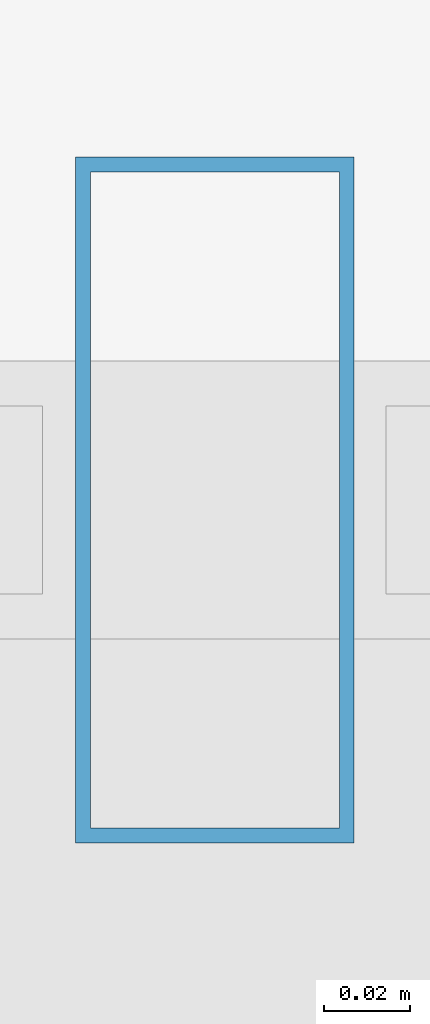
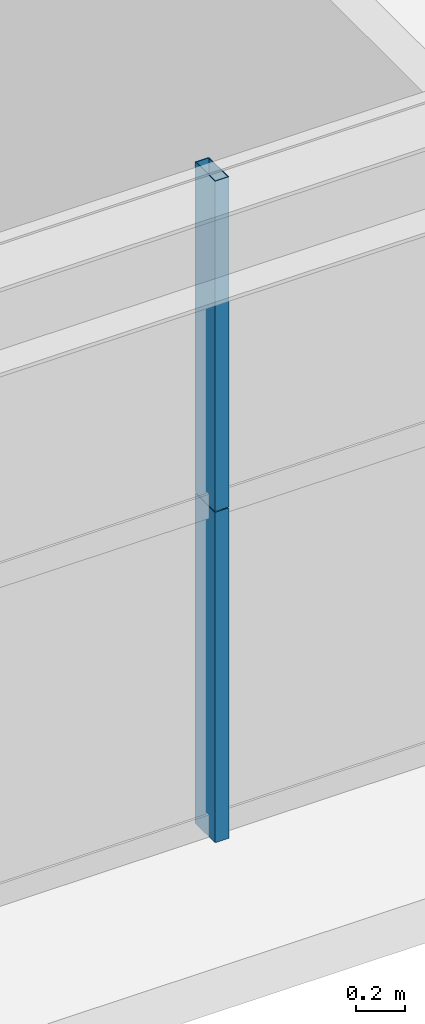
# One storey, part 6 of 38: 2 members, 1 element without a shape of its own.
"""IFC4 building model written with IfcOpenShell, lengths in metres."""

import ifcopenshell
import ifcopenshell.guid

model = None  # the IFC model being written
_history = None  # IfcOwnerHistory: only IFC2X3 demands one
_inside = {}  # id of a spatial element -> (the spatial element, [elements in it])
_under = {}  # id of a project, library or spatial element -> (it, [spatial elements below it])
_declared = {}  # id of a project -> (the project, [libraries it declares])
_typed = {}  # id of a type object -> (the type object, [elements of that type])
_made_of = {}  # id of a material, layer set ... -> (it, [elements and type objects made of it])


def new_model(schema):
    """Start an empty IFC model of exactly this schema.

    Asked for "IFC4X3", IfcOpenShell would pick the latest addendum, in which some entities
    have other attributes; the version numbers below select the first issue.
    IFC2X3 requires an IfcOwnerHistory on every rooted entity: one is made here for all.
    """
    global model, _history
    if schema == "IFC4X3":
        model = ifcopenshell.file(schema_version=(4, 3, 0, 0))
    else:
        model = ifcopenshell.file(schema=schema)
    _inside.clear()
    _under.clear()
    _declared.clear()
    _typed.clear()
    _made_of.clear()
    _history = None
    if model.schema == "IFC2X3":
        org = make("IfcOrganization", Name="unknown")
        user = make(
            "IfcPersonAndOrganization",
            ThePerson=make("IfcPerson", FamilyName="unknown"),
            TheOrganization=org,
        )
        app = make(
            "IfcApplication",
            ApplicationDeveloper=org,
            Version="unknown",
            ApplicationFullName="unknown",
            ApplicationIdentifier="unknown",
        )
        _history = make(
            "IfcOwnerHistory",
            OwningUser=user,
            OwningApplication=app,
            ChangeAction="ADDED",
            CreationDate=0,
        )
    return model


def make(cls, **values):
    """One entity of the class cls with the attributes given. An attribute that is None is left unset."""
    return model.create_entity(
        cls, **{name: value for name, value in values.items() if value is not None}
    )


def rooted(cls, **values):
    """An entity with a GlobalId (a new one), such as an element, a storey or a relation."""
    return make(cls, GlobalId=ifcopenshell.guid.new(), OwnerHistory=_history, **values)


def si_unit(unit_type, name, prefix=None):
    """IfcSIUnit, for example si_unit("LENGTHUNIT", "METRE", prefix="MILLI")."""
    return make("IfcSIUnit", UnitType=unit_type, Prefix=prefix, Name=name)


def assignment(units):
    """IfcUnitAssignment: the units of a project."""
    return None if units is None else make("IfcUnitAssignment", Units=units)


def point(xyz):
    """IfcCartesianPoint."""
    return None if xyz is None else make("IfcCartesianPoint", Coordinates=xyz)


def direction(xyz):
    """IfcDirection."""
    return None if xyz is None else make("IfcDirection", DirectionRatios=xyz)


def frame(location, z_axis=None, x_axis=None):
    """IfcAxis2Placement3D, a coordinate frame: its origin and axes. An axis left out is left unset."""
    return make(
        "IfcAxis2Placement3D",
        Location=point(location),
        Axis=direction(z_axis),
        RefDirection=direction(x_axis),
    )


def frame_2d(location, x_axis=None):
    """IfcAxis2Placement2D, a coordinate frame in the plane: its origin and x axis."""
    return make(
        "IfcAxis2Placement2D", Location=point(location), RefDirection=direction(x_axis)
    )


def origin():
    """The frame at (0, 0, 0) with its axes left unset."""
    return frame((0.0, 0.0, 0.0))


def origin_2d():
    """The frame at (0, 0) in the plane with its x axis left unset."""
    return frame_2d((0.0, 0.0))


def place(relative_to, where):
    """IfcLocalPlacement: puts the frame where relative to a parent placement (None: the world)."""
    return make(
        "IfcLocalPlacement", PlacementRelTo=relative_to, RelativePlacement=where
    )


def context(
    kind, dimensions, precision=None, world=None, true_north=None, identifier=None
):
    """IfcGeometricRepresentationContext, for example the 3D "Model" context."""
    return make(
        "IfcGeometricRepresentationContext",
        ContextIdentifier=identifier,
        ContextType=kind,
        CoordinateSpaceDimension=dimensions,
        Precision=precision,
        WorldCoordinateSystem=world,
        TrueNorth=true_north,
    )


def subcontext(parent, identifier, kind, view, scale=None):
    """IfcGeometricRepresentationSubContext, for example "Body" below "Model"."""
    return make(
        "IfcGeometricRepresentationSubContext",
        ContextIdentifier=identifier,
        ContextType=kind,
        ParentContext=parent,
        TargetScale=scale,
        TargetView=view,
    )


def project(units=None, contexts=None):
    """IfcProject with its units and contexts."""
    return rooted(
        "IfcProject",
        Name="project",
        RepresentationContexts=contexts,
        UnitsInContext=assignment(units),
    )


def spatial(cls, under=None, at=None, **own):
    """A site, building, storey or space (cls), placed at a placement, below another one or the project."""
    s = rooted(cls, ObjectPlacement=at, **own)
    if under is not None:
        _under.setdefault(under.id(), (under, []))[1].append(s)
    return s


def profile(cls, at=None, kind="AREA", **sizes):
    """A parametric profile (cls). Its sizes go by their IFC names, for example OverallWidth=200.0."""
    return make(cls, ProfileType=kind, Position=at, **sizes)


def hollow_rectangle(**sizes):
    """IfcRectangleHollowProfileDef."""
    return profile("IfcRectangleHollowProfileDef", **sizes)


def extrude(swept, where, along, depth):
    """IfcExtrudedAreaSolid: the profile swept, set in the frame where, extruded along a direction by depth."""
    return make(
        "IfcExtrudedAreaSolid",
        SweptArea=swept,
        Position=where,
        ExtrudedDirection=direction(along),
        Depth=depth,
    )


def shape(context_of_items, identifier, shape_type, items):
    """IfcShapeRepresentation: the items that make up one representation, for example the "Body"."""
    return make(
        "IfcShapeRepresentation",
        ContextOfItems=context_of_items,
        RepresentationIdentifier=identifier,
        RepresentationType=shape_type,
        Items=items,
    )


def source(mapping_origin, context_of_items, identifier, shape_type, items):
    """IfcRepresentationMap: a shape defined once, which mapped items show again and again."""
    return make(
        "IfcRepresentationMap",
        MappingOrigin=mapping_origin,
        MappedRepresentation=shape(context_of_items, identifier, shape_type, items),
    )


def transform(
    local_origin,
    x_axis=None,
    y_axis=None,
    z_axis=None,
    scale=None,
    scale2=None,
    scale3=None,
    uniform=True,
):
    """IfcCartesianTransformationOperator3D, or its non-uniform kind. x_axis, y_axis, z_axis: its Axis1, 2, 3."""
    if uniform:
        return make(
            "IfcCartesianTransformationOperator3D",
            Axis1=direction(x_axis),
            Axis2=direction(y_axis),
            LocalOrigin=point(local_origin),
            Scale=scale,
            Axis3=direction(z_axis),
        )
    return make(
        "IfcCartesianTransformationOperator3DnonUniform",
        Axis1=direction(x_axis),
        Axis2=direction(y_axis),
        LocalOrigin=point(local_origin),
        Scale=scale,
        Axis3=direction(z_axis),
        Scale2=scale2,
        Scale3=scale3,
    )


def mapped(mapping_source, mapping_target):
    """IfcMappedItem: shows the shape of a source again, moved by a transform."""
    return make(
        "IfcMappedItem", MappingSource=mapping_source, MappingTarget=mapping_target
    )


def material(Name=None, Category=None):
    """IfcMaterial."""
    return make("IfcMaterial", Name=Name, Category=Category)


def layer(
    of_material, thickness, ventilated=None, Name=None, Category=None, Priority=None
):
    """IfcMaterialLayer: one layer of a wall or slab, of a material (None: an air gap)."""
    return make(
        "IfcMaterialLayer",
        Material=of_material,
        LayerThickness=thickness,
        IsVentilated=ventilated,
        Name=Name,
        Category=Category,
        Priority=Priority,
    )


def layer_set(layers, Name=None):
    """IfcMaterialLayerSet."""
    return make("IfcMaterialLayerSet", MaterialLayers=layers, LayerSetName=Name)


def material_profile(
    of_material, cross_section, Name=None, Category=None, Priority=None
):
    """IfcMaterialProfile: a cross section and its material."""
    return make(
        "IfcMaterialProfile",
        Name=Name,
        Material=of_material,
        Profile=cross_section,
        Priority=Priority,
        Category=Category,
    )


def profile_set(profiles, Name=None, composite=None):
    """IfcMaterialProfileSet."""
    return make(
        "IfcMaterialProfileSet",
        Name=Name,
        MaterialProfiles=profiles,
        CompositeProfile=composite,
    )


def made_of(thing, what):
    """Note that an element or type object is made of a material, layer set ...; save() writes the relation."""
    if what is not None:
        _made_of.setdefault(what.id(), (what, []))[1].append(thing)
    return thing


def type_object(cls, material=None, **own):
    """A type object (cls), such as IfcWallType, which elements share."""
    return made_of(rooted(cls, **own), material)


def element(
    cls,
    number,
    at=None,
    inside=None,
    cuts=None,
    type_object=None,
    material=None,
    context=None,
    identifier="Body",
    shape_type=None,
    held_by="IfcProductDefinitionShape",
    body=None,
    shapes=None,
    **own,
):
    """One element of the class cls, such as IfcWall. Its Tag is "e" and its number.

    at: its placement. inside: the storey or other place that contains it. cuts: it is an
    opening in that element (IfcRelVoidsElement). A single representation is given by context,
    identifier, shape_type and body (its items); several are given by shapes. held_by: the class
    of the entity that holds the representations. save() writes the other relations.
    """
    e = rooted(cls, Tag="e%d" % number, ObjectPlacement=at, **own)
    if body is not None:
        shapes = [shape(context, identifier, shape_type, body)]
    if shapes is not None:
        e.Representation = make(held_by, Representations=shapes)
    if inside is not None:
        _inside.setdefault(inside.id(), (inside, []))[1].append(e)
    if cuts is not None:
        rooted(
            "IfcRelVoidsElement", RelatingBuildingElement=cuts, RelatedOpeningElement=e
        )
    if type_object is not None:
        _typed.setdefault(type_object.id(), (type_object, []))[1].append(e)
    return made_of(e, material)


def aggregate(whole, parts):
    """IfcRelAggregates: a whole, such as a stair, and the parts it consists of."""
    return rooted("IfcRelAggregates", RelatingObject=whole, RelatedObjects=parts)


def save(model, path):
    """Write the relations noted so far, then the file.

    IfcRelAggregates (storeys below a building ...), IfcRelContainedInSpatialStructure (elements
    in a storey), IfcRelDefinesByType, IfcRelAssociatesMaterial and IfcRelDeclares: one each for
    every whole, place, type object, material and project.
    """
    for whole, parts in _under.values():
        aggregate(whole, parts)
    for where, things in _inside.values():
        rooted(
            "IfcRelContainedInSpatialStructure",
            RelatedElements=things,
            RelatingStructure=where,
        )
    for kind, things in _typed.values():
        rooted("IfcRelDefinesByType", RelatedObjects=things, RelatingType=kind)
    for what, things in _made_of.values():
        rooted("IfcRelAssociatesMaterial", RelatedObjects=things, RelatingMaterial=what)
    for by, libraries in _declared.values():
        rooted("IfcRelDeclares", RelatingContext=by, RelatedDefinitions=libraries)
    model.write(path)


model = new_model("IFC4")

# Units and contexts
model_context = context("Model", 3, precision=1e-05, world=origin(), true_north=direction((0.0, 1.0)))
body_context = subcontext(model_context, "Body", "Model", "MODEL_VIEW")
ifc_project = project(units=[si_unit("LENGTHUNIT", "METRE"), si_unit("AREAUNIT", "SQUARE_METRE"), si_unit("VOLUMEUNIT", "CUBIC_METRE"), si_unit("PLANEANGLEUNIT", "RADIAN"), si_unit("MASSUNIT", "GRAM", prefix="KILO"), si_unit("THERMODYNAMICTEMPERATUREUNIT", "KELVIN"), si_unit("POWERUNIT", "WATT")], contexts=[model_context])

# Site, building, storey
site_placement = place(None, origin())
site = spatial("IfcSite", under=ifc_project, at=site_placement, CompositionType="ELEMENT")
building_placement = place(site_placement, origin())
building = spatial("IfcBuilding", under=site, at=building_placement, Name="Yuzanri Waterfront Tower", CompositionType="ELEMENT")
storey_placement = place(building_placement, frame((0.0, 0.0, 202.0)))
storey = spatial("IfcBuildingStorey", under=building, at=storey_placement, Name="L53", CompositionType="ELEMENT", Elevation=202.0)

# Curtain wall, members
ifc_material_1 = material(Name="Anodized Architectural Bronze", Category="metal")
ifc_layer = layer(ifc_material_1, 0.159912109375)
ifc_layer_set = layer_set([ifc_layer], Name="Anodized Architectural Bronze")
curtain_wall_type = type_object("IfcCurtainWallType", Name="Anodized Bronze Mid-Rise Residential Acoustic Unitized Curtain Wall 7200", PredefinedType="NOTDEFINED", material=ifc_layer_set)
curtain_wall_placement = place(storey_placement, origin())
curtain_wall = element("IfcCurtainWall", 1, at=curtain_wall_placement, inside=storey, type_object=curtain_wall_type, Name="L53 Curtain Wall CW-L53-SL", PredefinedType="NOTDEFINED")
ifc_material_2 = material(Name="Anodized Architectural Bronze", Category="metal")
ifc_material_profile = material_profile(ifc_material_2, hollow_rectangle(XDim=0.06494140625, YDim=0.159912109375, WallThickness=0.00341796875, at=origin_2d()), Name="CWM 65x160")
ifc_profile_set = profile_set([ifc_material_profile], Name="Anodized Architectural Bronze")
member_type = type_object("IfcMemberType", Name="Anodized Bronze Upper-Zone Curtain-Wall Mullion 65x160", PredefinedType="MULLION", material=ifc_profile_set)
shared_shape = source(origin(), body_context, "Body", "SweptSolid", [
    extrude(hollow_rectangle(XDim=0.06494140625, YDim=0.159912109375, WallThickness=0.00341796875, at=origin_2d()), origin(), (0.0, 0.0, 1.0), 1.637939453125),
])
member_1_placement = place(storey_placement, frame((29.425048828125, 3.85009765625, 0.0), z_axis=(0.0, 0.0, 1.0), x_axis=(1.0, 0.0, 0.0)))
member_1 = element("IfcMember", 2, at=member_1_placement, type_object=member_type, Name="CW-L53-SL Lower Mullion 01", PredefinedType="MULLION", context=body_context, shape_type="MappedRepresentation", body=[
    mapped(shared_shape, transform((0.0, 0.0, 0.0), scale=1.0)),
])
member_2_placement = place(storey_placement, frame((29.425048828125, 3.85009765625, 1.64208984375), z_axis=(0.0, 0.0, 1.0), x_axis=(1.0, 0.0, 0.0)))
member_2 = element("IfcMember", 3, at=member_2_placement, type_object=member_type, Name="CW-L53-SL Upper Mullion 01", PredefinedType="MULLION", context=body_context, shape_type="MappedRepresentation", body=[
    mapped(shared_shape, transform((0.0, 0.0, 0.0), scale=1.0)),
])
aggregate(curtain_wall, [member_1, member_2])

save(model, "model.ifc")
